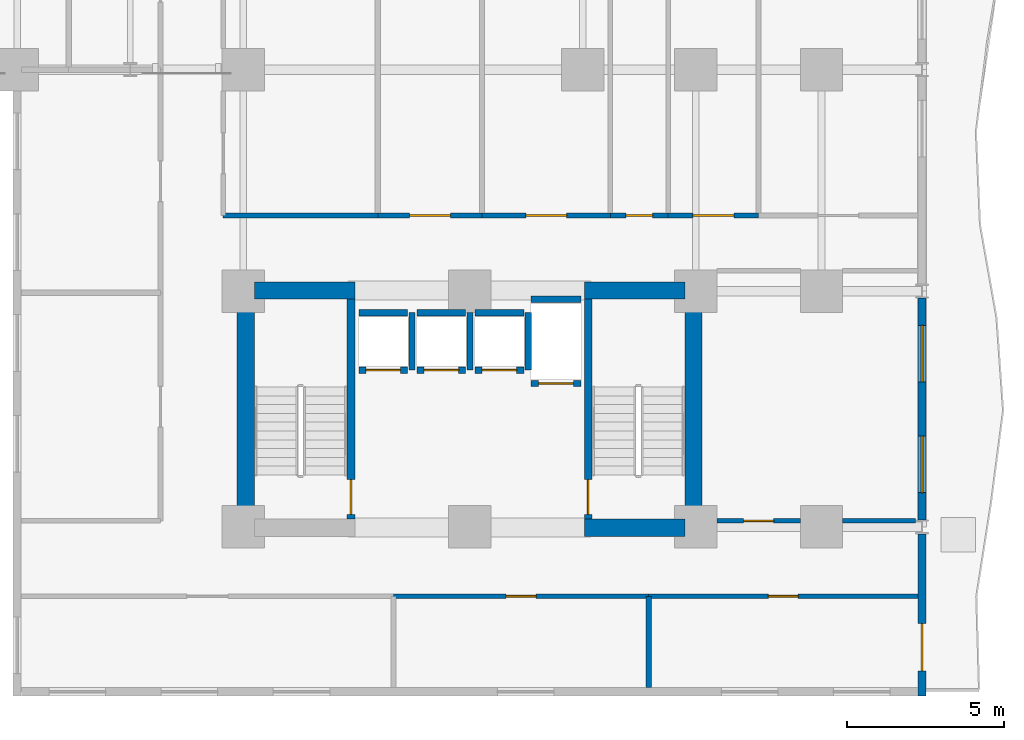
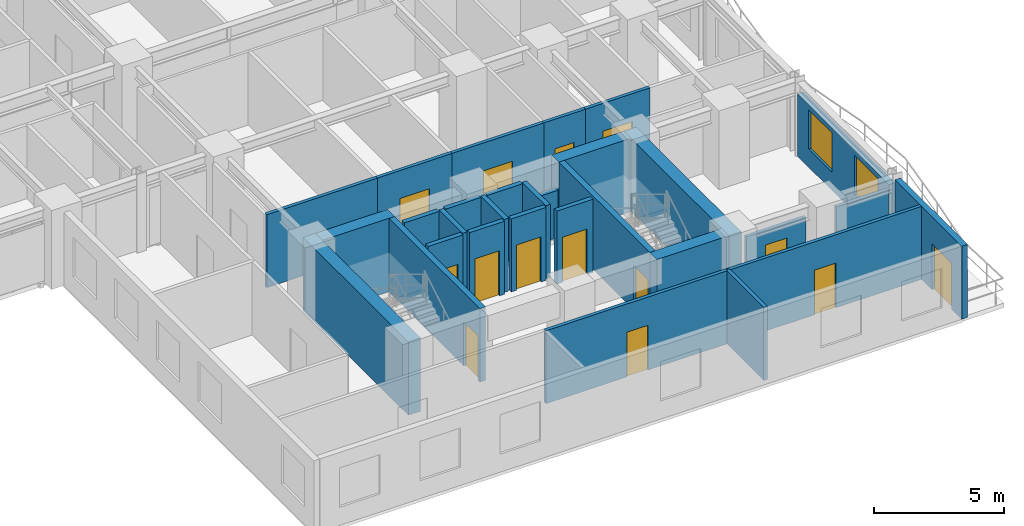
# One storey, part 10 of 16: 30 walls, 14 doors, 2 windows, 16 openings.
"""IFC4 building model written with IfcOpenShell, lengths in metres."""

import ifcopenshell
import ifcopenshell.guid

model = None  # the IFC model being written
_history = None  # IfcOwnerHistory: only IFC2X3 demands one
_inside = {}  # id of a spatial element -> (the spatial element, [elements in it])
_under = {}  # id of a project, library or spatial element -> (it, [spatial elements below it])
_declared = {}  # id of a project -> (the project, [libraries it declares])
_typed = {}  # id of a type object -> (the type object, [elements of that type])
_made_of = {}  # id of a material, layer set ... -> (it, [elements and type objects made of it])


def new_model(schema):
    """Start an empty IFC model of exactly this schema.

    Asked for "IFC4X3", IfcOpenShell would pick the latest addendum, in which some entities
    have other attributes; the version numbers below select the first issue.
    IFC2X3 requires an IfcOwnerHistory on every rooted entity: one is made here for all.
    """
    global model, _history
    if schema == "IFC4X3":
        model = ifcopenshell.file(schema_version=(4, 3, 0, 0))
    else:
        model = ifcopenshell.file(schema=schema)
    _inside.clear()
    _under.clear()
    _declared.clear()
    _typed.clear()
    _made_of.clear()
    _history = None
    if model.schema == "IFC2X3":
        org = make("IfcOrganization", Name="unknown")
        user = make(
            "IfcPersonAndOrganization",
            ThePerson=make("IfcPerson", FamilyName="unknown"),
            TheOrganization=org,
        )
        app = make(
            "IfcApplication",
            ApplicationDeveloper=org,
            Version="unknown",
            ApplicationFullName="unknown",
            ApplicationIdentifier="unknown",
        )
        _history = make(
            "IfcOwnerHistory",
            OwningUser=user,
            OwningApplication=app,
            ChangeAction="ADDED",
            CreationDate=0,
        )
    return model


def make(cls, **values):
    """One entity of the class cls with the attributes given. An attribute that is None is left unset."""
    return model.create_entity(
        cls, **{name: value for name, value in values.items() if value is not None}
    )


def rooted(cls, **values):
    """An entity with a GlobalId (a new one), such as an element, a storey or a relation."""
    return make(cls, GlobalId=ifcopenshell.guid.new(), OwnerHistory=_history, **values)


def si_unit(unit_type, name, prefix=None):
    """IfcSIUnit, for example si_unit("LENGTHUNIT", "METRE", prefix="MILLI")."""
    return make("IfcSIUnit", UnitType=unit_type, Prefix=prefix, Name=name)


def assignment(units):
    """IfcUnitAssignment: the units of a project."""
    return None if units is None else make("IfcUnitAssignment", Units=units)


def point(xyz):
    """IfcCartesianPoint."""
    return None if xyz is None else make("IfcCartesianPoint", Coordinates=xyz)


def direction(xyz):
    """IfcDirection."""
    return None if xyz is None else make("IfcDirection", DirectionRatios=xyz)


def frame(location, z_axis=None, x_axis=None):
    """IfcAxis2Placement3D, a coordinate frame: its origin and axes. An axis left out is left unset."""
    return make(
        "IfcAxis2Placement3D",
        Location=point(location),
        Axis=direction(z_axis),
        RefDirection=direction(x_axis),
    )


def frame_2d(location, x_axis=None):
    """IfcAxis2Placement2D, a coordinate frame in the plane: its origin and x axis."""
    return make(
        "IfcAxis2Placement2D", Location=point(location), RefDirection=direction(x_axis)
    )


def origin():
    """The frame at (0, 0, 0) with its axes left unset."""
    return frame((0.0, 0.0, 0.0))


def place(relative_to, where):
    """IfcLocalPlacement: puts the frame where relative to a parent placement (None: the world)."""
    return make(
        "IfcLocalPlacement", PlacementRelTo=relative_to, RelativePlacement=where
    )


def context(
    kind, dimensions, precision=None, world=None, true_north=None, identifier=None
):
    """IfcGeometricRepresentationContext, for example the 3D "Model" context."""
    return make(
        "IfcGeometricRepresentationContext",
        ContextIdentifier=identifier,
        ContextType=kind,
        CoordinateSpaceDimension=dimensions,
        Precision=precision,
        WorldCoordinateSystem=world,
        TrueNorth=true_north,
    )


def subcontext(parent, identifier, kind, view, scale=None):
    """IfcGeometricRepresentationSubContext, for example "Body" below "Model"."""
    return make(
        "IfcGeometricRepresentationSubContext",
        ContextIdentifier=identifier,
        ContextType=kind,
        ParentContext=parent,
        TargetScale=scale,
        TargetView=view,
    )


def project(units=None, contexts=None):
    """IfcProject with its units and contexts."""
    return rooted(
        "IfcProject",
        Name="project",
        RepresentationContexts=contexts,
        UnitsInContext=assignment(units),
    )


def spatial(cls, under=None, at=None, **own):
    """A site, building, storey or space (cls), placed at a placement, below another one or the project."""
    s = rooted(cls, ObjectPlacement=at, **own)
    if under is not None:
        _under.setdefault(under.id(), (under, []))[1].append(s)
    return s


def profile(cls, at=None, kind="AREA", **sizes):
    """A parametric profile (cls). Its sizes go by their IFC names, for example OverallWidth=200.0."""
    return make(cls, ProfileType=kind, Position=at, **sizes)


def rectangle(**sizes):
    """IfcRectangleProfileDef."""
    return profile("IfcRectangleProfileDef", **sizes)


def extrude(swept, where, along, depth):
    """IfcExtrudedAreaSolid: the profile swept, set in the frame where, extruded along a direction by depth."""
    return make(
        "IfcExtrudedAreaSolid",
        SweptArea=swept,
        Position=where,
        ExtrudedDirection=direction(along),
        Depth=depth,
    )


def shape(context_of_items, identifier, shape_type, items):
    """IfcShapeRepresentation: the items that make up one representation, for example the "Body"."""
    return make(
        "IfcShapeRepresentation",
        ContextOfItems=context_of_items,
        RepresentationIdentifier=identifier,
        RepresentationType=shape_type,
        Items=items,
    )


def material(Name=None, Category=None):
    """IfcMaterial."""
    return make("IfcMaterial", Name=Name, Category=Category)


def layer(
    of_material, thickness, ventilated=None, Name=None, Category=None, Priority=None
):
    """IfcMaterialLayer: one layer of a wall or slab, of a material (None: an air gap)."""
    return make(
        "IfcMaterialLayer",
        Material=of_material,
        LayerThickness=thickness,
        IsVentilated=ventilated,
        Name=Name,
        Category=Category,
        Priority=Priority,
    )


def layer_set(layers, Name=None):
    """IfcMaterialLayerSet."""
    return make("IfcMaterialLayerSet", MaterialLayers=layers, LayerSetName=Name)


def made_of(thing, what):
    """Note that an element or type object is made of a material, layer set ...; save() writes the relation."""
    if what is not None:
        _made_of.setdefault(what.id(), (what, []))[1].append(thing)
    return thing


def type_object(cls, material=None, **own):
    """A type object (cls), such as IfcWallType, which elements share."""
    return made_of(rooted(cls, **own), material)


def element(
    cls,
    number,
    at=None,
    inside=None,
    cuts=None,
    type_object=None,
    material=None,
    context=None,
    identifier="Body",
    shape_type=None,
    held_by="IfcProductDefinitionShape",
    body=None,
    shapes=None,
    **own,
):
    """One element of the class cls, such as IfcWall. Its Tag is "e" and its number.

    at: its placement. inside: the storey or other place that contains it. cuts: it is an
    opening in that element (IfcRelVoidsElement). A single representation is given by context,
    identifier, shape_type and body (its items); several are given by shapes. held_by: the class
    of the entity that holds the representations. save() writes the other relations.
    """
    e = rooted(cls, Tag="e%d" % number, ObjectPlacement=at, **own)
    if body is not None:
        shapes = [shape(context, identifier, shape_type, body)]
    if shapes is not None:
        e.Representation = make(held_by, Representations=shapes)
    if inside is not None:
        _inside.setdefault(inside.id(), (inside, []))[1].append(e)
    if cuts is not None:
        rooted(
            "IfcRelVoidsElement", RelatingBuildingElement=cuts, RelatedOpeningElement=e
        )
    if type_object is not None:
        _typed.setdefault(type_object.id(), (type_object, []))[1].append(e)
    return made_of(e, material)


def fill(opening, filler):
    """IfcRelFillsElement: the door or window that sits in an opening."""
    return rooted(
        "IfcRelFillsElement",
        RelatingOpeningElement=opening,
        RelatedBuildingElement=filler,
    )


def aggregate(whole, parts):
    """IfcRelAggregates: a whole, such as a stair, and the parts it consists of."""
    return rooted("IfcRelAggregates", RelatingObject=whole, RelatedObjects=parts)


def save(model, path):
    """Write the relations noted so far, then the file.

    IfcRelAggregates (storeys below a building ...), IfcRelContainedInSpatialStructure (elements
    in a storey), IfcRelDefinesByType, IfcRelAssociatesMaterial and IfcRelDeclares: one each for
    every whole, place, type object, material and project.
    """
    for whole, parts in _under.values():
        aggregate(whole, parts)
    for where, things in _inside.values():
        rooted(
            "IfcRelContainedInSpatialStructure",
            RelatedElements=things,
            RelatingStructure=where,
        )
    for kind, things in _typed.values():
        rooted("IfcRelDefinesByType", RelatedObjects=things, RelatingType=kind)
    for what, things in _made_of.values():
        rooted("IfcRelAssociatesMaterial", RelatedObjects=things, RelatingMaterial=what)
    for by, libraries in _declared.values():
        rooted("IfcRelDeclares", RelatingContext=by, RelatedDefinitions=libraries)
    model.write(path)


model = new_model("IFC4")

# Units and contexts
model_context = context("Model", 3, precision=1e-05, world=origin(), true_north=direction((0.0, 1.0)))
body_context = subcontext(model_context, "Body", "Model", "MODEL_VIEW")
ifc_project = project(units=[si_unit("LENGTHUNIT", "METRE"), si_unit("AREAUNIT", "SQUARE_METRE"), si_unit("VOLUMEUNIT", "CUBIC_METRE"), si_unit("PLANEANGLEUNIT", "RADIAN"), si_unit("MASSUNIT", "GRAM", prefix="KILO")], contexts=[model_context])

# Site, building, storey
site_placement = place(None, origin())
site = spatial("IfcSite", under=ifc_project, at=site_placement, CompositionType="ELEMENT")
building_placement = place(site_placement, origin())
building = spatial("IfcBuilding", under=site, at=building_placement, Name="Kaliganga Portal Commons", CompositionType="ELEMENT")
storey_placement = place(building_placement, frame((0.0, 0.0, 29.0)))
storey = spatial("IfcBuildingStorey", under=building, at=storey_placement, Name="L06", CompositionType="ELEMENT", Elevation=29.0)

# Walls
ifc_material_1 = material(Name="Concrete C60/75", Category="concrete")
ifc_layer_1 = layer(ifc_material_1, 0.550048828125)
ifc_layer_set_1 = layer_set([ifc_layer_1], Name="Concrete C60/75")
wall_type_1 = type_object("IfcWallType", Name="WL-CORE-550", PredefinedType="SHEAR", material=ifc_layer_set_1)
for number, where, z_axis, x_axis, name in (
    (1, (36.074951171875, 6.75, 0.0), (0.0, 0.0, 1.0), (0.0, 1.0, 0.0), "Core B West Shear Wall L06"),
    (2, (50.324951171875, 6.75, 0.0), (0.0, 0.0, 1.0), (0.0, 1.0, 0.0), "Core B East Shear Wall L06"),
):
    element("IfcWall", number, at=place(storey_placement, frame(where, z_axis=z_axis, x_axis=x_axis)), inside=storey, type_object=wall_type_1, Name=name, PredefinedType="SHEAR", context=body_context, shape_type="SweptSolid", body=[
        extrude(rectangle(XDim=8.10009765625, YDim=0.550048828125, at=frame_2d((4.050048828125, 0.0))), origin(), (0.0, 0.0, 1.0), 3.449951171875),
    ])
for number, where, z_axis, x_axis, name in (
    (3, (46.85009765625, 7.02490234375, 0.0), (0.0, 0.0, 1.0), (1.0, 0.0, 0.0), "Core B S-East Shear Wall L06"),
    (4, (36.35009765625, 14.574951171875, 0.0), (0.0, 0.0, 1.0), (1.0, 0.0, 0.0), "Core B N-West Shear Wall L06"),
    (5, (46.85009765625, 14.574951171875, 0.0), (0.0, 0.0, 1.0), (1.0, 0.0, 0.0), "Core B N-East Shear Wall L06"),
):
    element("IfcWall", number, at=place(storey_placement, frame(where, z_axis=z_axis, x_axis=x_axis)), inside=storey, type_object=wall_type_1, Name=name, PredefinedType="SHEAR", context=body_context, shape_type="SweptSolid", body=[
        extrude(rectangle(XDim=3.199951171875, YDim=0.550048828125, at=frame_2d((1.60009765625, 0.0))), origin(), (0.0, 0.0, 1.0), 3.449951171875),
    ])

# Wall, opening, door
ifc_material_2 = material(Name="Insulated Aluminium-Clad Spandrel Assembly", Category="aluminium")
ifc_layer_2 = layer(ifc_material_2, 0.260009765625)
ifc_layer_set_2 = layer_set([ifc_layer_2], Name="Insulated Aluminium-Clad Spandrel Assembly")
wall_type_2 = type_object("IfcWallType", Name="WL-EXT-SPAND-260", PredefinedType="STANDARD", material=ifc_layer_set_2)
wall_1_placement = place(storey_placement, frame((57.60009765625, 6.825927734375, 0.0), z_axis=(0.0, 0.0, 1.0), x_axis=(0.0, -1.0, 0.0)))
wall_1 = element("IfcWall", 6, at=wall_1_placement, inside=storey, type_object=wall_type_2, Name="Exterior Envelope Wall L06 P1-E01-S1", PredefinedType="STANDARD", context=body_context, shape_type="SweptSolid", body=[
    extrude(rectangle(XDim=5.156005859375, YDim=0.260009765625, at=frame_2d((2.578125, 0.0))), origin(), (0.0, 0.0, 1.0), 3.429931640625),
])
opening_1_placement = place(wall_1_placement, frame((2.85888671875, 0.0, 0.0)))
opening_1 = element("IfcOpeningElement", 7, at=opening_1_placement, cuts=wall_1, Name="Opening BD-01", PredefinedType="OPENING", context=body_context, shape_type="SweptSolid", body=[
    extrude(rectangle(XDim=1.5, YDim=2.14990234375, at=frame_2d((0.75, 1.074951171875))), frame((0.0, 0.14013671875, 0.0), z_axis=(0.0, -1.0, 0.0), x_axis=(1.0, 0.0, 0.0)), (0.0, 0.0, 1.0), 0.280029296875),
])
ifc_material_3 = material(Name="Anodized Aluminium and Laminated Safety Glass", Category="aluminium")
door_type_1 = type_object("IfcDoorType", Name="DR-BALC-1500", OperationType="SLIDING_TO_LEFT", PredefinedType="DOOR", material=ifc_material_3)
door_1_placement = place(opening_1_placement, origin())
door_1 = element("IfcDoor", 8, at=door_1_placement, inside=storey, type_object=door_type_1, Name="Balcony Sliding Door L06 balc_east", OperationType="SLIDING_TO_LEFT", OverallHeight=2.14990234375, OverallWidth=1.5, PredefinedType="DOOR", context=body_context, shape_type="SweptSolid", body=[
    extrude(rectangle(XDim=1.5, YDim=2.14990234375, at=frame_2d((0.75, 1.074951171875))), frame((0.0, 0.02490234375, 0.0), z_axis=(0.0, -1.0, 0.0), x_axis=(1.0, 0.0, 0.0)), (0.0, 0.0, 1.0), 0.050048828125),
])
fill(opening_1, door_1)

# Wall, openings, windows
wall_2_placement = place(storey_placement, frame((57.60009765625, 14.325927734375, 0.0), z_axis=(0.0, 0.0, 1.0), x_axis=(0.0, -1.0, 0.0)))
wall_2 = element("IfcWall", 9, at=wall_2_placement, inside=storey, type_object=wall_type_2, Name="Exterior Envelope Wall L06 P1-E01-S2", PredefinedType="STANDARD", context=body_context, shape_type="SweptSolid", body=[
    extrude(rectangle(XDim=7.052001953125, YDim=0.260009765625, at=frame_2d((3.52587890625, 0.0))), origin(), (0.0, 0.0, 1.0), 2.929931640625),
])
opening_2_placement = place(wall_2_placement, frame((0.863037109375, 0.0, 0.85009765625)))
opening_2 = element("IfcOpeningElement", 10, at=opening_2_placement, cuts=wall_2, Name="Opening W-01", PredefinedType="OPENING", context=body_context, shape_type="SweptSolid", body=[
    extrude(rectangle(XDim=1.800048828125, YDim=1.85009765625, at=frame_2d((0.89990234375, 0.925048828125))), frame((0.0, 0.14013671875, 0.0), z_axis=(0.0, -1.0, 0.0), x_axis=(1.0, 0.0, 0.0)), (0.0, 0.0, 1.0), 0.280029296875),
])
opening_3_placement = place(wall_2_placement, frame((4.388916015625, 0.0, 0.85009765625)))
opening_3 = element("IfcOpeningElement", 11, at=opening_3_placement, cuts=wall_2, Name="Opening W-01", PredefinedType="OPENING", context=body_context, shape_type="SweptSolid", body=[
    extrude(rectangle(XDim=1.800048828125, YDim=1.85009765625, at=frame_2d((0.89990234375, 0.925048828125))), frame((0.0, 0.14013671875, 0.0), z_axis=(0.0, -1.0, 0.0), x_axis=(1.0, 0.0, 0.0)), (0.0, 0.0, 1.0), 0.280029296875),
])
ifc_material_4 = material(Name="Thermally Broken Aluminium and Low-E Double Glazing", Category="aluminium")
window_type = type_object("IfcWindowType", Name="WIN-STD-1800", PartitioningType="DOUBLE_PANEL_VERTICAL", PredefinedType="WINDOW", material=ifc_material_4)
window_1_placement = place(opening_2_placement, origin())
window_1 = element("IfcWindow", 12, at=window_1_placement, inside=storey, type_object=window_type, Name="Facade Window L06-P1E01S2-00", OverallHeight=1.85009765625, OverallWidth=1.800048828125, PartitioningType="SINGLE_PANEL", PredefinedType="WINDOW", context=body_context, shape_type="SweptSolid", body=[
    extrude(rectangle(XDim=1.800048828125, YDim=1.85009765625, at=frame_2d((0.89990234375, 0.925048828125))), frame((0.0, 0.030029296875, 0.0), z_axis=(0.0, -1.0, 0.0), x_axis=(1.0, 0.0, 0.0)), (0.0, 0.0, 1.0), 0.06005859375),
])
fill(opening_2, window_1)
window_2_placement = place(opening_3_placement, origin())
window_2 = element("IfcWindow", 13, at=window_2_placement, inside=storey, type_object=window_type, Name="Facade Window L06-P1E01S2-01", OverallHeight=1.85009765625, OverallWidth=1.800048828125, PartitioningType="SINGLE_PANEL", PredefinedType="WINDOW", context=body_context, shape_type="SweptSolid", body=[
    extrude(rectangle(XDim=1.800048828125, YDim=1.85009765625, at=frame_2d((0.89990234375, 0.925048828125))), frame((0.0, 0.030029296875, 0.0), z_axis=(0.0, -1.0, 0.0), x_axis=(1.0, 0.0, 0.0)), (0.0, 0.0, 1.0), 0.06005859375),
])
fill(opening_3, window_2)

# Wall, opening, door
ifc_material_5 = material(Name="Fire-Rated Gypsum Board on Steel Stud", Category="steel")
ifc_layer_3 = layer(ifc_material_5, 0.14990234375)
ifc_layer_set_3 = layer_set([ifc_layer_3], Name="Fire-Rated Gypsum Board on Steel Stud")
wall_type_3 = type_object("IfcWallType", Name="WL-PART-CORR-150", PredefinedType="PARTITIONING", material=ifc_layer_set_3)
wall_3_placement = place(storey_placement, frame((48.89990234375, 4.840087890625, 0.0), z_axis=(0.0, 0.0, 1.0), x_axis=(1.0, 0.0, 0.0)))
wall_3 = element("IfcWall", 14, at=wall_3_placement, inside=storey, type_object=wall_type_3, Name="Interior Partition L06-011", PredefinedType="PARTITIONING", context=body_context, shape_type="SweptSolid", body=[
    extrude(rectangle(XDim=8.568115234375, YDim=0.14990234375, at=frame_2d((4.2841796875, 0.0))), origin(), (0.0, 0.0, 1.0), 3.429931640625),
])
opening_4_placement = place(wall_3_placement, frame((3.80908203125, 0.0, 0.0)))
opening_4 = element("IfcOpeningElement", 15, at=opening_4_placement, cuts=wall_3, Name="Opening UD-01", PredefinedType="OPENING", context=body_context, shape_type="SweptSolid", body=[
    extrude(rectangle(XDim=0.949951171875, YDim=2.10009765625, at=frame_2d((0.47509765625, 1.050048828125))), frame((0.0, 0.0849609375, 0.0), z_axis=(0.0, -1.0, 0.0), x_axis=(1.0, 0.0, 0.0)), (0.0, 0.0, 1.0), 0.169921875),
])
ifc_material_6 = material(Name="Solid-Core Timber Acoustic Fire Door", Category="wood")
door_type_2 = type_object("IfcDoorType", Name="DR-UNIT-950", OperationType="NOTDEFINED", PredefinedType="DOOR", material=ifc_material_6)
door_2_placement = place(opening_4_placement, origin())
door_2 = element("IfcDoor", 16, at=door_2_placement, inside=storey, type_object=door_type_2, Name="Interior Door L06-BS03", OperationType="SINGLE_SWING_RIGHT", OverallHeight=2.10009765625, OverallWidth=0.949951171875, PredefinedType="DOOR", context=body_context, shape_type="SweptSolid", body=[
    extrude(rectangle(XDim=0.949951171875, YDim=2.10009765625, at=frame_2d((0.47509765625, 1.050048828125))), frame((0.0, 0.02490234375, 0.0), z_axis=(0.0, -1.0, 0.0), x_axis=(1.0, 0.0, 0.0)), (0.0, 0.0, 1.0), 0.050048828125),
])
fill(opening_4, door_2)

wall_4_placement = place(storey_placement, frame((40.780029296875, 4.840087890625, 0.0), z_axis=(0.0, 0.0, 1.0), x_axis=(1.0, 0.0, 0.0)))
wall_4 = element("IfcWall", 17, at=wall_4_placement, inside=storey, type_object=wall_type_3, Name="Interior Partition L06-015", PredefinedType="PARTITIONING", context=body_context, shape_type="SweptSolid", body=[
    extrude(rectangle(XDim=8.119873046875, YDim=0.14990234375, at=frame_2d((4.06005859375, 0.0))), origin(), (0.0, 0.0, 1.0), 3.429931640625),
])
opening_5_placement = place(wall_4_placement, frame((3.5849609375, 0.0, 0.0)))
opening_5 = element("IfcOpeningElement", 18, at=opening_5_placement, cuts=wall_4, Name="Opening UD-01", PredefinedType="OPENING", context=body_context, shape_type="SweptSolid", body=[
    extrude(rectangle(XDim=0.949951171875, YDim=2.10009765625, at=frame_2d((0.47509765625, 1.050048828125))), frame((0.0, 0.0849609375, 0.0), z_axis=(0.0, -1.0, 0.0), x_axis=(1.0, 0.0, 0.0)), (0.0, 0.0, 1.0), 0.169921875),
])
door_3_placement = place(opening_5_placement, origin())
door_3 = element("IfcDoor", 19, at=door_3_placement, inside=storey, type_object=door_type_2, Name="Interior Door L06-BS02", OperationType="SINGLE_SWING_LEFT", OverallHeight=2.10009765625, OverallWidth=0.949951171875, PredefinedType="DOOR", context=body_context, shape_type="SweptSolid", body=[
    extrude(rectangle(XDim=0.949951171875, YDim=2.10009765625, at=frame_2d((0.47509765625, 1.050048828125))), frame((0.0, 0.02490234375, 0.0), z_axis=(0.0, -1.0, 0.0), x_axis=(1.0, 0.0, 0.0)), (0.0, 0.0, 1.0), 0.050048828125),
])
fill(opening_5, door_3)

wall_5_placement = place(storey_placement, frame((51.074951171875, 7.239990234375, 0.0), z_axis=(0.0, 0.0, 1.0), x_axis=(1.0, 0.0, 0.0)))
wall_5 = element("IfcWall", 20, at=wall_5_placement, inside=storey, type_object=wall_type_3, Name="Interior Partition L06-022", PredefinedType="PARTITIONING", context=body_context, shape_type="SweptSolid", body=[
    extrude(rectangle(XDim=2.650146484375, YDim=0.14990234375, at=frame_2d((1.3251953125, 0.0))), origin(), (0.0, 0.0, 1.0), 2.780029296875),
])
opening_6_placement = place(wall_5_placement, frame((0.85009765625, 0.0, 0.0)))
opening_6 = element("IfcOpeningElement", 21, at=opening_6_placement, cuts=wall_5, Name="Opening UD-01", PredefinedType="OPENING", context=body_context, shape_type="SweptSolid", body=[
    extrude(rectangle(XDim=0.949951171875, YDim=2.10009765625, at=frame_2d((0.47509765625, 1.050048828125))), frame((0.0, 0.0849609375, 0.0), z_axis=(0.0, -1.0, 0.0), x_axis=(1.0, 0.0, 0.0)), (0.0, 0.0, 1.0), 0.169921875),
])
door_4_placement = place(opening_6_placement, origin())
door_4 = element("IfcDoor", 22, at=door_4_placement, inside=storey, type_object=door_type_2, Name="Interior Door L06-BE01", OperationType="SINGLE_SWING_RIGHT", OverallHeight=2.10009765625, OverallWidth=0.949951171875, PredefinedType="DOOR", context=body_context, shape_type="SweptSolid", body=[
    extrude(rectangle(XDim=0.949951171875, YDim=2.10009765625, at=frame_2d((0.47509765625, 1.050048828125))), frame((0.0, 0.02490234375, 0.0), z_axis=(0.0, -1.0, 0.0), x_axis=(1.0, 0.0, 0.0)), (0.0, 0.0, 1.0), 0.050048828125),
])
fill(opening_6, door_4)

# Walls
wall_6_placement = place(storey_placement, frame((55.074951171875, 7.239990234375, 0.0), z_axis=(0.0, 0.0, 1.0), x_axis=(1.0, 0.0, 0.0)))
element("IfcWall", 23, at=wall_6_placement, inside=storey, type_object=wall_type_3, Name="Interior Partition L06-023", PredefinedType="PARTITIONING", context=body_context, shape_type="SweptSolid", body=[
    extrude(rectangle(XDim=2.317138671875, YDim=0.14990234375, at=frame_2d((1.15869140625, 0.0))), origin(), (0.0, 0.0, 1.0), 2.780029296875),
])
wall_7_placement = place(storey_placement, frame((35.360107421875, 16.9599609375, 0.0), z_axis=(0.0, 0.0, 1.0), x_axis=(1.0, 0.0, 0.0)))
element("IfcWall", 24, at=wall_7_placement, inside=storey, type_object=wall_type_3, Name="Interior Partition L06-032", PredefinedType="PARTITIONING", context=body_context, shape_type="SweptSolid", body=[
    extrude(rectangle(XDim=4.919921875, YDim=0.14990234375, at=frame_2d((2.4599609375, 0.0))), origin(), (0.0, 0.0, 1.0), 3.429931640625),
])

# Wall, opening, door
wall_8_placement = place(storey_placement, frame((43.60009765625, 16.9599609375, 0.0), z_axis=(0.0, 0.0, 1.0), x_axis=(1.0, 0.0, 0.0)))
wall_8 = element("IfcWall", 25, at=wall_8_placement, inside=storey, type_object=wall_type_3, Name="Interior Partition L06-044", PredefinedType="PARTITIONING", context=body_context, shape_type="SweptSolid", body=[
    extrude(rectangle(XDim=4.079833984375, YDim=0.14990234375, at=frame_2d((2.0400390625, 0.0))), origin(), (0.0, 0.0, 1.0), 3.429931640625),
])
opening_7_placement = place(wall_8_placement, frame((1.389892578125, 0.0, 0.0)))
opening_7 = element("IfcOpeningElement", 26, at=opening_7_placement, cuts=wall_8, Name="Opening RD-03", PredefinedType="OPENING", context=body_context, shape_type="SweptSolid", body=[
    extrude(rectangle(XDim=1.300048828125, YDim=2.1201171875, at=frame_2d((0.64990234375, 1.06005859375))), frame((0.0, 0.0849609375, 0.0), z_axis=(0.0, -1.0, 0.0), x_axis=(1.0, 0.0, 0.0)), (0.0, 0.0, 1.0), 0.169921875),
])
ifc_material_7 = material(Name="Glazed Timber Seminar Vision Door", Category="wood")
door_type_3 = type_object("IfcDoorType", Name="DR-STUDY-1300", OperationType="DOUBLE_DOOR_SINGLE_SWING", PredefinedType="DOOR", material=ifc_material_7)
door_5_placement = place(opening_7_placement, origin())
door_5 = element("IfcDoor", 27, at=door_5_placement, inside=storey, type_object=door_type_3, Name="Interior Door L06-BM03", OperationType="DOUBLE_DOOR_SINGLE_SWING", OverallHeight=2.1201171875, OverallWidth=1.300048828125, PredefinedType="DOOR", context=body_context, shape_type="SweptSolid", body=[
    extrude(rectangle(XDim=1.300048828125, YDim=2.1201171875, at=frame_2d((0.64990234375, 1.06005859375))), frame((0.0, 0.02490234375, 0.0), z_axis=(0.0, -1.0, 0.0), x_axis=(1.0, 0.0, 0.0)), (0.0, 0.0, 1.0), 0.050048828125),
])
fill(opening_7, door_5)

wall_9_placement = place(storey_placement, frame((40.280029296875, 16.9599609375, 0.0), z_axis=(0.0, 0.0, 1.0), x_axis=(1.0, 0.0, 0.0)))
wall_9 = element("IfcWall", 28, at=wall_9_placement, inside=storey, type_object=wall_type_3, Name="Interior Partition L06-047", PredefinedType="PARTITIONING", context=body_context, shape_type="SweptSolid", body=[
    extrude(rectangle(XDim=3.320068359375, YDim=0.14990234375, at=frame_2d((1.66015625, 0.0))), origin(), (0.0, 0.0, 1.0), 3.429931640625),
])
opening_8_placement = place(wall_9_placement, frame((1.010009765625, 0.0, 0.0)))
opening_8 = element("IfcOpeningElement", 29, at=opening_8_placement, cuts=wall_9, Name="Opening RD-03", PredefinedType="OPENING", context=body_context, shape_type="SweptSolid", body=[
    extrude(rectangle(XDim=1.300048828125, YDim=2.1201171875, at=frame_2d((0.64990234375, 1.06005859375))), frame((0.0, 0.0849609375, 0.0), z_axis=(0.0, -1.0, 0.0), x_axis=(1.0, 0.0, 0.0)), (0.0, 0.0, 1.0), 0.169921875),
])
door_6_placement = place(opening_8_placement, origin())
door_6 = element("IfcDoor", 30, at=door_6_placement, inside=storey, type_object=door_type_3, Name="Interior Door L06-BM02", OperationType="DOUBLE_DOOR_SINGLE_SWING", OverallHeight=2.1201171875, OverallWidth=1.300048828125, PredefinedType="DOOR", context=body_context, shape_type="SweptSolid", body=[
    extrude(rectangle(XDim=1.300048828125, YDim=2.1201171875, at=frame_2d((0.64990234375, 1.06005859375))), frame((0.0, 0.02490234375, 0.0), z_axis=(0.0, -1.0, 0.0), x_axis=(1.0, 0.0, 0.0)), (0.0, 0.0, 1.0), 0.050048828125),
])
fill(opening_8, door_6)

wall_10_placement = place(storey_placement, frame((49.52001953125, 16.9599609375, 0.0), z_axis=(0.0, 0.0, 1.0), x_axis=(1.0, 0.0, 0.0)))
wall_10 = element("IfcWall", 31, at=wall_10_placement, inside=storey, type_object=wall_type_3, Name="Interior Partition L06-050", PredefinedType="PARTITIONING", context=body_context, shape_type="SweptSolid", body=[
    extrude(rectangle(XDim=2.8798828125, YDim=0.14990234375, at=frame_2d((1.43994140625, 0.0))), origin(), (0.0, 0.0, 1.0), 3.429931640625),
])
opening_9_placement = place(wall_10_placement, frame((0.7900390625, 0.0, 0.0)))
opening_9 = element("IfcOpeningElement", 32, at=opening_9_placement, cuts=wall_10, Name="Opening RD-03", PredefinedType="OPENING", context=body_context, shape_type="SweptSolid", body=[
    extrude(rectangle(XDim=1.300048828125, YDim=2.1201171875, at=frame_2d((0.64990234375, 1.06005859375))), frame((0.0, 0.0849609375, 0.0), z_axis=(0.0, -1.0, 0.0), x_axis=(1.0, 0.0, 0.0)), (0.0, 0.0, 1.0), 0.169921875),
])
door_7_placement = place(opening_9_placement, origin())
door_7 = element("IfcDoor", 33, at=door_7_placement, inside=storey, type_object=door_type_3, Name="Interior Door L06-BM05", OperationType="DOUBLE_DOOR_SINGLE_SWING", OverallHeight=2.1201171875, OverallWidth=1.300048828125, PredefinedType="DOOR", context=body_context, shape_type="SweptSolid", body=[
    extrude(rectangle(XDim=1.300048828125, YDim=2.1201171875, at=frame_2d((0.64990234375, 1.06005859375))), frame((0.0, 0.02490234375, 0.0), z_axis=(0.0, -1.0, 0.0), x_axis=(1.0, 0.0, 0.0)), (0.0, 0.0, 1.0), 0.050048828125),
])
fill(opening_9, door_7)

wall_11_placement = place(storey_placement, frame((47.679931640625, 16.9599609375, 0.0), z_axis=(0.0, 0.0, 1.0), x_axis=(1.0, 0.0, 0.0)))
wall_11 = element("IfcWall", 34, at=wall_11_placement, inside=storey, type_object=wall_type_3, Name="Interior Partition L06-056", PredefinedType="PARTITIONING", context=body_context, shape_type="SweptSolid", body=[
    extrude(rectangle(XDim=1.840087890625, YDim=0.14990234375, at=frame_2d((0.919921875, 0.0))), origin(), (0.0, 0.0, 1.0), 3.429931640625),
])
opening_10_placement = place(wall_11_placement, frame((0.4951171875, 0.0, 0.0)))
opening_10 = element("IfcOpeningElement", 35, at=opening_10_placement, cuts=wall_11, Name="Opening WD-01", PredefinedType="OPENING", context=body_context, shape_type="SweptSolid", body=[
    extrude(rectangle(XDim=0.85009765625, YDim=2.0400390625, at=frame_2d((0.425048828125, 1.02001953125))), frame((0.0, 0.0849609375, 0.0), z_axis=(0.0, -1.0, 0.0), x_axis=(1.0, 0.0, 0.0)), (0.0, 0.0, 1.0), 0.169921875),
])
ifc_material_8 = material(Name="Moisture-Resistant Laminate Timber Door", Category="wood")
door_type_4 = type_object("IfcDoorType", Name="DR-WET-850", OperationType="NOTDEFINED", PredefinedType="DOOR", material=ifc_material_8)
door_8_placement = place(opening_10_placement, origin())
door_8 = element("IfcDoor", 36, at=door_8_placement, inside=storey, type_object=door_type_4, Name="Interior Door L06-BM04", OperationType="SINGLE_SWING_RIGHT", OverallHeight=2.0400390625, OverallWidth=0.85009765625, PredefinedType="DOOR", context=body_context, shape_type="SweptSolid", body=[
    extrude(rectangle(XDim=0.85009765625, YDim=2.0400390625, at=frame_2d((0.425048828125, 1.02001953125))), frame((0.0, 0.02490234375, 0.0), z_axis=(0.0, -1.0, 0.0), x_axis=(1.0, 0.0, 0.0)), (0.0, 0.0, 1.0), 0.050048828125),
])
fill(opening_10, door_8)

# Wall
ifc_material_9 = material(Name="Twin-Stud Acoustic Gypsum Partition", Category="gypsum")
ifc_layer_4 = layer(ifc_material_9, 0.1650390625)
ifc_layer_set_4 = layer_set([ifc_layer_4], Name="Twin-Stud Acoustic Gypsum Partition")
wall_type_4 = type_object("IfcWallType", Name="WL-PART-UNIT-165", PredefinedType="PARTITIONING", material=ifc_layer_set_4)
wall_12_placement = place(storey_placement, frame((48.89990234375, 1.931884765625, 0.0), z_axis=(0.0, 0.0, 1.0), x_axis=(0.0, 1.0, 0.0)))
element("IfcWall", 37, at=wall_12_placement, inside=storey, type_object=wall_type_4, Name="Interior Partition L06-091", PredefinedType="PARTITIONING", context=body_context, shape_type="SweptSolid", body=[
    extrude(rectangle(XDim=2.908203125, YDim=0.1650390625, at=frame_2d((1.4541015625, 0.0))), origin(), (0.0, 0.0, 1.0), 3.429931640625),
])

# Wall, opening, door
ifc_material_10 = material(Name="Fire-Rated Shaftwall Masonry Assembly", Category="masonry")
ifc_layer_5 = layer(ifc_material_10, 0.199951171875)
ifc_layer_set_5 = layer_set([ifc_layer_5], Name="Fire-Rated Shaftwall Masonry Assembly")
wall_type_5 = type_object("IfcWallType", Name="WL-SHAFT-200", PredefinedType="PARTITIONING", material=ifc_layer_set_5)
wall_13_placement = place(storey_placement, frame((39.675048828125, 12.034912109375, 0.0), z_axis=(0.0, 0.0, 1.0), x_axis=(1.0, 0.0, 0.0)))
wall_13 = element("IfcWall", 38, at=wall_13_placement, inside=storey, type_object=wall_type_5, Name="Lift PL-B1 Hoistway Shaft Wall L06-S", PredefinedType="PARTITIONING", context=body_context, shape_type="SweptSolid", body=[
    extrude(rectangle(XDim=1.550048828125, YDim=0.199951171875, at=frame_2d((0.77490234375, 0.0))), origin(), (0.0, 0.0, 1.0), 3.429931640625),
])
opening_11_placement = place(wall_13_placement, frame((0.22509765625, 0.0, 0.0)))
opening_11 = element("IfcOpeningElement", 39, at=opening_11_placement, cuts=wall_13, Name="Opening LD-01", PredefinedType="OPENING", context=body_context, shape_type="SweptSolid", body=[
    extrude(rectangle(XDim=1.10009765625, YDim=2.1201171875, at=frame_2d((0.550048828125, 1.06005859375))), frame((0.0, 0.10986328125, 0.0), z_axis=(0.0, -1.0, 0.0), x_axis=(1.0, 0.0, 0.0)), (0.0, 0.0, 1.0), 0.219970703125),
])
ifc_material_11 = material(Name="Brushed Stainless Steel 316 Lift Landing Door", Category="steel")
door_type_5 = type_object("IfcDoorType", Name="DR-LIFT-1100", OperationType="SLIDING_TO_LEFT", PredefinedType="DOOR", material=ifc_material_11)
door_9_placement = place(opening_11_placement, origin())
door_9 = element("IfcDoor", 40, at=door_9_placement, inside=storey, type_object=door_type_5, Name="Lift PL-B1 Sliding Landing Door L06", OperationType="SLIDING_TO_LEFT", OverallHeight=2.1201171875, OverallWidth=1.10009765625, PredefinedType="DOOR", context=body_context, shape_type="SweptSolid", body=[
    extrude(rectangle(XDim=1.10009765625, YDim=2.1201171875, at=frame_2d((0.550048828125, 1.06005859375))), frame((0.0, 0.02490234375, 0.0), z_axis=(0.0, -1.0, 0.0), x_axis=(1.0, 0.0, 0.0)), (0.0, 0.0, 1.0), 0.050048828125),
])
fill(opening_11, door_9)

# Walls
wall_14_placement = place(storey_placement, frame((39.675048828125, 13.864990234375, 0.0), z_axis=(0.0, 0.0, 1.0), x_axis=(1.0, 0.0, 0.0)))
element("IfcWall", 41, at=wall_14_placement, inside=storey, type_object=wall_type_5, Name="Lift PL-B1 Hoistway Shaft Wall L06-N", PredefinedType="PARTITIONING", context=body_context, shape_type="SweptSolid", body=[
    extrude(rectangle(XDim=1.550048828125, YDim=0.199951171875, at=frame_2d((0.77490234375, 0.0))), origin(), (0.0, 0.0, 1.0), 3.429931640625),
])
wall_15_placement = place(storey_placement, frame((41.364990234375, 12.034912109375, 0.0), z_axis=(0.0, 0.0, 1.0), x_axis=(0.0, 1.0, 0.0)))
element("IfcWall", 42, at=wall_15_placement, inside=storey, type_object=wall_type_5, Name="Lift PL-B1 Hoistway Shaft Wall L06-E", PredefinedType="PARTITIONING", context=body_context, shape_type="SweptSolid", body=[
    extrude(rectangle(XDim=1.830078125, YDim=0.199951171875, at=frame_2d((0.9150390625, 0.0))), origin(), (0.0, 0.0, 1.0), 3.429931640625),
])

# Wall, opening, door
wall_16_placement = place(storey_placement, frame((41.52490234375, 12.034912109375, 0.0), z_axis=(0.0, 0.0, 1.0), x_axis=(1.0, 0.0, 0.0)))
wall_16 = element("IfcWall", 43, at=wall_16_placement, inside=storey, type_object=wall_type_5, Name="Lift PL-B2 Hoistway Shaft Wall L06-S", PredefinedType="PARTITIONING", context=body_context, shape_type="SweptSolid", body=[
    extrude(rectangle(XDim=1.550048828125, YDim=0.199951171875, at=frame_2d((0.77490234375, 0.0))), origin(), (0.0, 0.0, 1.0), 3.429931640625),
])
opening_12_placement = place(wall_16_placement, frame((0.22509765625, 0.0, 0.0)))
opening_12 = element("IfcOpeningElement", 44, at=opening_12_placement, cuts=wall_16, Name="Opening LD-01", PredefinedType="OPENING", context=body_context, shape_type="SweptSolid", body=[
    extrude(rectangle(XDim=1.10009765625, YDim=2.1201171875, at=frame_2d((0.550048828125, 1.06005859375))), frame((0.0, 0.10986328125, 0.0), z_axis=(0.0, -1.0, 0.0), x_axis=(1.0, 0.0, 0.0)), (0.0, 0.0, 1.0), 0.219970703125),
])
door_10_placement = place(opening_12_placement, origin())
door_10 = element("IfcDoor", 45, at=door_10_placement, inside=storey, type_object=door_type_5, Name="Lift PL-B2 Sliding Landing Door L06", OperationType="SLIDING_TO_LEFT", OverallHeight=2.1201171875, OverallWidth=1.10009765625, PredefinedType="DOOR", context=body_context, shape_type="SweptSolid", body=[
    extrude(rectangle(XDim=1.10009765625, YDim=2.1201171875, at=frame_2d((0.550048828125, 1.06005859375))), frame((0.0, 0.02490234375, 0.0), z_axis=(0.0, -1.0, 0.0), x_axis=(1.0, 0.0, 0.0)), (0.0, 0.0, 1.0), 0.050048828125),
])
fill(opening_12, door_10)

# Walls
wall_17_placement = place(storey_placement, frame((41.52490234375, 13.864990234375, 0.0), z_axis=(0.0, 0.0, 1.0), x_axis=(1.0, 0.0, 0.0)))
element("IfcWall", 46, at=wall_17_placement, inside=storey, type_object=wall_type_5, Name="Lift PL-B2 Hoistway Shaft Wall L06-N", PredefinedType="PARTITIONING", context=body_context, shape_type="SweptSolid", body=[
    extrude(rectangle(XDim=1.550048828125, YDim=0.199951171875, at=frame_2d((0.77490234375, 0.0))), origin(), (0.0, 0.0, 1.0), 3.429931640625),
])
wall_18_placement = place(storey_placement, frame((43.215087890625, 12.034912109375, 0.0), z_axis=(0.0, 0.0, 1.0), x_axis=(0.0, 1.0, 0.0)))
element("IfcWall", 47, at=wall_18_placement, inside=storey, type_object=wall_type_5, Name="Lift PL-B2 Hoistway Shaft Wall L06-E", PredefinedType="PARTITIONING", context=body_context, shape_type="SweptSolid", body=[
    extrude(rectangle(XDim=1.830078125, YDim=0.199951171875, at=frame_2d((0.9150390625, 0.0))), origin(), (0.0, 0.0, 1.0), 3.429931640625),
])

# Wall, opening, door
wall_19_placement = place(storey_placement, frame((43.375, 12.034912109375, 0.0), z_axis=(0.0, 0.0, 1.0), x_axis=(1.0, 0.0, 0.0)))
wall_19 = element("IfcWall", 48, at=wall_19_placement, inside=storey, type_object=wall_type_5, Name="Lift SH-2 Hoistway Shaft Wall L06-S", PredefinedType="PARTITIONING", context=body_context, shape_type="SweptSolid", body=[
    extrude(rectangle(XDim=1.550048828125, YDim=0.199951171875, at=frame_2d((0.77490234375, 0.0))), origin(), (0.0, 0.0, 1.0), 3.429931640625),
])
opening_13_placement = place(wall_19_placement, frame((0.22509765625, 0.0, 0.0)))
opening_13 = element("IfcOpeningElement", 49, at=opening_13_placement, cuts=wall_19, Name="Opening LD-01", PredefinedType="OPENING", context=body_context, shape_type="SweptSolid", body=[
    extrude(rectangle(XDim=1.10009765625, YDim=2.1201171875, at=frame_2d((0.550048828125, 1.06005859375))), frame((0.0, 0.10986328125, 0.0), z_axis=(0.0, -1.0, 0.0), x_axis=(1.0, 0.0, 0.0)), (0.0, 0.0, 1.0), 0.219970703125),
])
door_11_placement = place(opening_13_placement, origin())
door_11 = element("IfcDoor", 50, at=door_11_placement, inside=storey, type_object=door_type_5, Name="Lift SH-2 Sliding Landing Door L06", OperationType="SLIDING_TO_LEFT", OverallHeight=2.1201171875, OverallWidth=1.10009765625, PredefinedType="DOOR", context=body_context, shape_type="SweptSolid", body=[
    extrude(rectangle(XDim=1.10009765625, YDim=2.1201171875, at=frame_2d((0.550048828125, 1.06005859375))), frame((0.0, 0.02490234375, 0.0), z_axis=(0.0, -1.0, 0.0), x_axis=(1.0, 0.0, 0.0)), (0.0, 0.0, 1.0), 0.050048828125),
])
fill(opening_13, door_11)

# Walls
wall_20_placement = place(storey_placement, frame((43.375, 13.864990234375, 0.0), z_axis=(0.0, 0.0, 1.0), x_axis=(1.0, 0.0, 0.0)))
element("IfcWall", 51, at=wall_20_placement, inside=storey, type_object=wall_type_5, Name="Lift SH-2 Hoistway Shaft Wall L06-N", PredefinedType="PARTITIONING", context=body_context, shape_type="SweptSolid", body=[
    extrude(rectangle(XDim=1.550048828125, YDim=0.199951171875, at=frame_2d((0.77490234375, 0.0))), origin(), (0.0, 0.0, 1.0), 3.429931640625),
])
wall_21_placement = place(storey_placement, frame((45.06494140625, 12.034912109375, 0.0), z_axis=(0.0, 0.0, 1.0), x_axis=(0.0, 1.0, 0.0)))
element("IfcWall", 52, at=wall_21_placement, inside=storey, type_object=wall_type_5, Name="Lift SH-2 Hoistway Shaft Wall L06-E", PredefinedType="PARTITIONING", context=body_context, shape_type="SweptSolid", body=[
    extrude(rectangle(XDim=1.830078125, YDim=0.199951171875, at=frame_2d((0.9150390625, 0.0))), origin(), (0.0, 0.0, 1.0), 3.429931640625),
])

# Wall, opening, door
wall_22_placement = place(storey_placement, frame((45.14990234375, 11.610107421875, 0.0), z_axis=(0.0, 0.0, 1.0), x_axis=(1.0, 0.0, 0.0)))
wall_22 = element("IfcWall", 53, at=wall_22_placement, inside=storey, type_object=wall_type_5, Name="Lift SL-B1 Hoistway Shaft Wall L06-S", PredefinedType="PARTITIONING", context=body_context, shape_type="SweptSolid", body=[
    extrude(rectangle(XDim=1.60009765625, YDim=0.199951171875, at=frame_2d((0.800048828125, 0.0))), origin(), (0.0, 0.0, 1.0), 3.429931640625),
])
opening_14_placement = place(wall_22_placement, frame((0.25, 0.0, 0.0)))
opening_14 = element("IfcOpeningElement", 54, at=opening_14_placement, cuts=wall_22, Name="Opening LD-01", PredefinedType="OPENING", context=body_context, shape_type="SweptSolid", body=[
    extrude(rectangle(XDim=1.10009765625, YDim=2.1201171875, at=frame_2d((0.550048828125, 1.06005859375))), frame((0.0, 0.10986328125, 0.0), z_axis=(0.0, -1.0, 0.0), x_axis=(1.0, 0.0, 0.0)), (0.0, 0.0, 1.0), 0.219970703125),
])
door_12_placement = place(opening_14_placement, origin())
door_12 = element("IfcDoor", 55, at=door_12_placement, inside=storey, type_object=door_type_5, Name="Lift SL-B1 Sliding Landing Door L06", OperationType="SLIDING_TO_LEFT", OverallHeight=2.1201171875, OverallWidth=1.10009765625, PredefinedType="DOOR", context=body_context, shape_type="SweptSolid", body=[
    extrude(rectangle(XDim=1.10009765625, YDim=2.1201171875, at=frame_2d((0.550048828125, 1.06005859375))), frame((0.0, 0.02490234375, 0.0), z_axis=(0.0, -1.0, 0.0), x_axis=(1.0, 0.0, 0.0)), (0.0, 0.0, 1.0), 0.050048828125),
])
fill(opening_14, door_12)

# Wall
wall_23_placement = place(storey_placement, frame((45.14990234375, 14.2900390625, 0.0), z_axis=(0.0, 0.0, 1.0), x_axis=(1.0, 0.0, 0.0)))
element("IfcWall", 56, at=wall_23_placement, inside=storey, type_object=wall_type_5, Name="Lift SL-B1 Hoistway Shaft Wall L06-N", PredefinedType="PARTITIONING", context=body_context, shape_type="SweptSolid", body=[
    extrude(rectangle(XDim=1.60009765625, YDim=0.199951171875, at=frame_2d((0.800048828125, 0.0))), origin(), (0.0, 0.0, 1.0), 2.22998046875),
])

# Wall, opening, door
ifc_material_12 = material(Name="Concrete C50/60", Category="concrete")
ifc_layer_6 = layer(ifc_material_12, 0.25)
ifc_layer_set_6 = layer_set([ifc_layer_6], Name="Concrete C50/60")
wall_type_6 = type_object("IfcWallType", Name="WL-STAIR-250", PredefinedType="SHEAR", material=ifc_layer_set_6)
wall_24_placement = place(storey_placement, frame((39.425048828125, 7.300048828125, 0.0), z_axis=(0.0, 0.0, 1.0), x_axis=(0.0, 1.0, 0.0)))
wall_24 = element("IfcWall", 57, at=wall_24_placement, inside=storey, type_object=wall_type_6, Name="Stair B1 Enclosure Shear Wall L06", PredefinedType="SHEAR", context=body_context, shape_type="SweptSolid", body=[
    extrude(rectangle(XDim=7.0, YDim=0.25, at=frame_2d((3.5, 0.0))), origin(), (0.0, 0.0, 1.0), 3.449951171875),
])
opening_15_placement = place(wall_24_placement, frame((0.14990234375, 0.0, 0.0)))
opening_15 = element("IfcOpeningElement", 58, at=opening_15_placement, cuts=wall_24, Name="Opening SD-01", PredefinedType="OPENING", context=body_context, shape_type="SweptSolid", body=[
    extrude(rectangle(XDim=1.10009765625, YDim=2.080078125, at=frame_2d((0.550048828125, 1.0400390625))), frame((0.0, 0.135009765625, 0.0), z_axis=(0.0, -1.0, 0.0), x_axis=(1.0, 0.0, 0.0)), (0.0, 0.0, 1.0), 0.27001953125),
])
ifc_material_13 = material(Name="Galvanized Steel Fire Door Leaf and Frame", Category="steel")
door_type_6 = type_object("IfcDoorType", Name="DR-STAIR-1100", OperationType="NOTDEFINED", PredefinedType="DOOR", material=ifc_material_13)
door_13_placement = place(opening_15_placement, origin())
door_13 = element("IfcDoor", 59, at=door_13_placement, inside=storey, type_object=door_type_6, Name="Protected Stair ST-B1 Fire Door L06", OperationType="SINGLE_SWING_RIGHT", OverallHeight=2.080078125, OverallWidth=1.10009765625, PredefinedType="DOOR", context=body_context, shape_type="SweptSolid", body=[
    extrude(rectangle(XDim=1.10009765625, YDim=2.080078125, at=frame_2d((0.550048828125, 1.0400390625))), frame((0.0, 0.02490234375, 0.0), z_axis=(0.0, -1.0, 0.0), x_axis=(1.0, 0.0, 0.0)), (0.0, 0.0, 1.0), 0.050048828125),
])
fill(opening_15, door_13)

wall_25_placement = place(storey_placement, frame((46.97509765625, 7.300048828125, 0.0), z_axis=(0.0, 0.0, 1.0), x_axis=(0.0, 1.0, 0.0)))
wall_25 = element("IfcWall", 60, at=wall_25_placement, inside=storey, type_object=wall_type_6, Name="Stair B2 Enclosure Shear Wall L06", PredefinedType="SHEAR", context=body_context, shape_type="SweptSolid", body=[
    extrude(rectangle(XDim=7.0, YDim=0.25, at=frame_2d((3.5, 0.0))), origin(), (0.0, 0.0, 1.0), 3.449951171875),
])
opening_16_placement = place(wall_25_placement, frame((0.14990234375, 0.0, 0.0)))
opening_16 = element("IfcOpeningElement", 61, at=opening_16_placement, cuts=wall_25, Name="Opening SD-01", PredefinedType="OPENING", context=body_context, shape_type="SweptSolid", body=[
    extrude(rectangle(XDim=1.10009765625, YDim=2.080078125, at=frame_2d((0.550048828125, 1.0400390625))), frame((0.0, 0.135009765625, 0.0), z_axis=(0.0, -1.0, 0.0), x_axis=(1.0, 0.0, 0.0)), (0.0, 0.0, 1.0), 0.27001953125),
])
door_14_placement = place(opening_16_placement, origin())
door_14 = element("IfcDoor", 62, at=door_14_placement, inside=storey, type_object=door_type_6, Name="Protected Stair ST-B2 Fire Door L06", OperationType="SINGLE_SWING_LEFT", OverallHeight=2.080078125, OverallWidth=1.10009765625, PredefinedType="DOOR", context=body_context, shape_type="SweptSolid", body=[
    extrude(rectangle(XDim=1.10009765625, YDim=2.080078125, at=frame_2d((0.550048828125, 1.0400390625))), frame((0.0, 0.02490234375, 0.0), z_axis=(0.0, -1.0, 0.0), x_axis=(1.0, 0.0, 0.0)), (0.0, 0.0, 1.0), 0.050048828125),
])
fill(opening_16, door_14)

save(model, "model.ifc")
